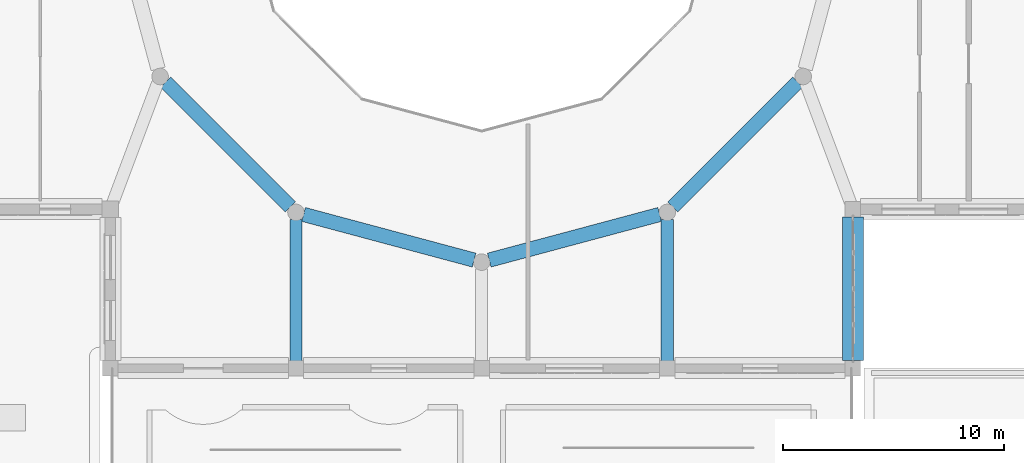
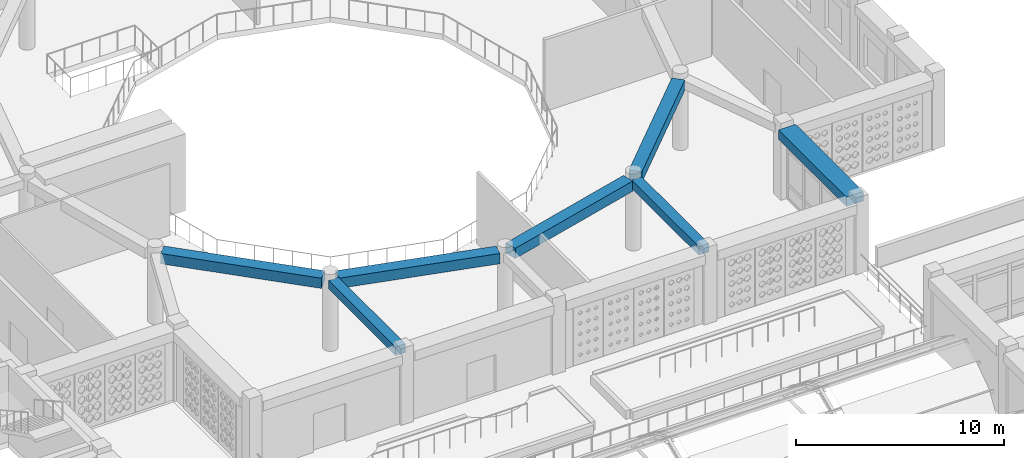
# One storey, part 21 of 100: 7 beams.
"""IFC4 building model written with IfcOpenShell, lengths in metres."""

from ifc_helpers import new_model, si_unit, derived_unit, direction, frame, origin, origin_2d, place, context, subcontext, project, spatial, rectangle, extrude, material, material_profile, profile_set, type_object, element, save


model = new_model("IFC4")

# Units and contexts
model_context = context("Model", 3, precision=1e-05, world=origin(), true_north=direction((0.0, 1.0)))
body_context = subcontext(model_context, "Body", "Model", "MODEL_VIEW")
ifc_project = project(units=[si_unit("LENGTHUNIT", "METRE"), si_unit("AREAUNIT", "SQUARE_METRE"), si_unit("VOLUMEUNIT", "CUBIC_METRE"), si_unit("PLANEANGLEUNIT", "RADIAN"), si_unit("MASSUNIT", "GRAM", prefix="KILO"), derived_unit("THERMALTRANSMITTANCEUNIT", [(si_unit("POWERUNIT", "WATT"), 1), (si_unit("LENGTHUNIT", "METRE"), -2), (si_unit("THERMODYNAMICTEMPERATUREUNIT", "KELVIN"), -1)])], contexts=[model_context])

# Site, building, storey
site_placement = place(None, origin())
site = spatial("IfcSite", under=ifc_project, at=site_placement, CompositionType="ELEMENT")
building_placement = place(site_placement, origin())
building = spatial("IfcBuilding", under=site, at=building_placement, Name="Veybourne Emporium", CompositionType="ELEMENT")
storey_placement = place(building_placement, frame((0.0, 0.0, 14.39990234375)))
storey = spatial("IfcBuildingStorey", under=building, at=storey_placement, Name="L03", CompositionType="ELEMENT", Elevation=14.39990234375)

# Beams
ifc_material = material(Name="Concrete C32/40", Category="concrete")
ifc_material_profile_1 = material_profile(ifc_material, rectangle(XDim=0.949951171875, YDim=0.550048828125, at=origin_2d()), Name="RC 950x550")
ifc_profile_set_1 = profile_set([ifc_material_profile_1], Name="Concrete C32/40")
beam_type_1 = type_object("IfcBeamType", Name="RCBeam_EB-01", PredefinedType="SPANDREL", material=ifc_profile_set_1)
beam_placement = place(storey_placement, frame((92.39990234375, 29.14990234375, 3.905029296875), z_axis=(0.0, 1.0, 0.0), x_axis=(-1.0, 0.0, 0.0)))
element("IfcBeam", 1, at=beam_placement, inside=storey, type_object=beam_type_1, Name="L03 Y-grid beam EB-01 (11,4)", PredefinedType="SPANDREL", context=body_context, shape_type="SweptSolid", body=[
    extrude(rectangle(XDim=0.949951171875, YDim=0.550048828125, at=origin_2d()), origin(), (0.0, 0.0, 1.0), 6.5),
])
ifc_material_profile_2 = material_profile(ifc_material, rectangle(XDim=0.64990234375, YDim=0.60009765625, at=origin_2d()), Name="RC 650x600")
ifc_profile_set_2 = profile_set([ifc_material_profile_2], Name="Concrete C32/40")
beam_type_2 = type_object("IfcBeamType", Name="RCBeam_EB-02", PredefinedType="BEAM", material=ifc_profile_set_2)
for number, where, z_axis, x_axis, name in (
    (2, (61.3017578125, 41.7490234375, 3.880126953125), (0.707106781187, -0.707106781187, 0.0), (0.707106781187, 0.707106781187, 0.0), "Atrium ring beam EB-02 L03-08"),
    (3, (67.54296875, 35.7587890625, 3.880126953125), (0.965928811666, -0.258807903268, 0.0), (0.258807903268, 0.965928811666, 0.0), "Atrium ring beam EB-02 L03-09"),
    (4, (75.94287109375, 33.69189453125, 3.880126953125), (0.965928811666, 0.258807903268, 0.0), (-0.258807903268, 0.965928811666, 0.0), "Atrium ring beam EB-02 L03-10"),
    (5, (84.2509765625, 36.101806640625, 3.880126953125), (0.707106781187, 0.707106781187, 0.0), (-0.707106781187, 0.707106781187, 0.0), "Atrium ring beam EB-02 L03-11"),
):
    element("IfcBeam", number, at=place(storey_placement, frame(where, z_axis=z_axis, x_axis=x_axis)), inside=storey, type_object=beam_type_2, Name=name, PredefinedType="BEAM", context=body_context, shape_type="SweptSolid", body=[
        extrude(rectangle(XDim=0.64990234375, YDim=0.60009765625, at=origin_2d()), origin(), (0.0, 0.0, 1.0), 7.986328125),
    ])
ifc_material_profile_3 = material_profile(ifc_material, rectangle(XDim=0.550048828125, YDim=0.5, at=origin_2d()), Name="RC 550x500")
ifc_profile_set_3 = profile_set([ifc_material_profile_3], Name="Concrete C32/40")
beam_type_3 = type_object("IfcBeamType", Name="RCBeam_TB-01", PredefinedType="BEAM", material=ifc_profile_set_3)
for number, where, z_axis, x_axis, name in (
    (6, (67.199951171875, 35.535888671875, 3.93017578125), (0.0, -1.0, 0.0), (1.0, 0.0, 0.0), "Atrium radial tie beam L03-09"),
    (7, (84.0, 35.535888671875, 3.93017578125), (0.0, -1.0, 0.0), (1.0, 0.0, 0.0), "Atrium radial tie beam L03-11"),
):
    element("IfcBeam", number, at=place(storey_placement, frame(where, z_axis=z_axis, x_axis=x_axis)), inside=storey, type_object=beam_type_3, Name=name, PredefinedType="BEAM", context=body_context, shape_type="SweptSolid", body=[
        extrude(rectangle(XDim=0.550048828125, YDim=0.5, at=origin_2d()), origin(), (0.0, 0.0, 1.0), 6.44580078125),
    ])

save(model, "model.ifc")
